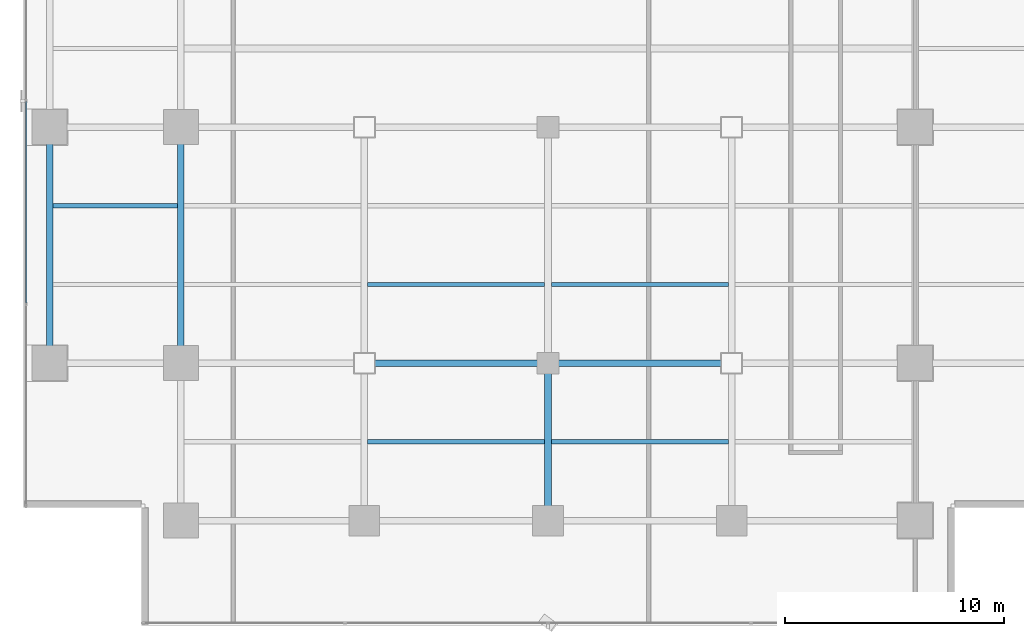
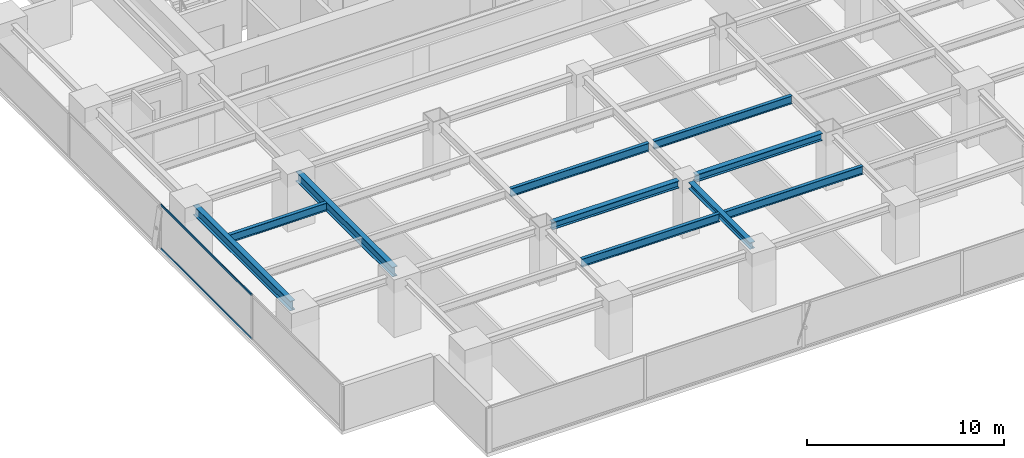
# One storey, part 6 of 27: 10 beams, 2 members, 1 element without a shape of its own.
"""IFC4 building model written with IfcOpenShell, lengths in metres."""

from ifc_helpers import new_model, si_unit, direction, frame, origin, origin_2d, place, context, subcontext, project, spatial, hollow_rectangle, i_section, extrude, source, transform, mapped, material, layer, layer_set, material_profile, profile_set, type_object, element, aggregate, save


model = new_model("IFC4")

# Units and contexts
model_context = context("Model", 3, precision=1e-05, world=origin(), true_north=direction((0.0, 1.0)))
body_context = subcontext(model_context, "Body", "Model", "MODEL_VIEW")
ifc_project = project(units=[si_unit("LENGTHUNIT", "METRE"), si_unit("AREAUNIT", "SQUARE_METRE"), si_unit("VOLUMEUNIT", "CUBIC_METRE"), si_unit("PLANEANGLEUNIT", "RADIAN"), si_unit("MASSUNIT", "GRAM", prefix="KILO")], contexts=[model_context])

# Site, building, storey
site_placement = place(None, origin())
site = spatial("IfcSite", under=ifc_project, at=site_placement, CompositionType="ELEMENT")
building_placement = place(site_placement, origin())
building = spatial("IfcBuilding", under=site, at=building_placement, Name="Sumidabori Civic Tower", CompositionType="ELEMENT")
storey_placement = place(building_placement, frame((0.0, 0.0, 156.800048828125)))
storey = spatial("IfcBuildingStorey", under=building, at=storey_placement, Name="L40", CompositionType="ELEMENT", Elevation=156.800048828125)

# Beams
ifc_material_1 = material(Name="Steel SN490", Category="steel")
ifc_material_profile_1 = material_profile(ifc_material_1, i_section(OverallWidth=0.300048828125, OverallDepth=0.39990234375, WebThickness=0.013427734375, FlangeThickness=0.02392578125, at=origin_2d()), Name="HE 400 B")
ifc_profile_set_1 = profile_set([ifc_material_profile_1], Name="Steel SN490")
beam_type_1 = type_object("IfcBeamType", Name="BM-GIRD-400", PredefinedType="BEAM", material=ifc_profile_set_1)
shared_shape_1 = source(origin(), body_context, "Body", "SweptSolid", [
    extrude(i_section(OverallWidth=0.300048828125, OverallDepth=0.39990234375, WebThickness=0.013427734375, FlangeThickness=0.02392578125, at=origin_2d()), origin(), (0.0, 0.0, 1.0), 6.239990234375),
])
beam_1_placement = place(storey_placement, frame((0.0, -17.52001953125, 3.179931640625), z_axis=(0.0, 1.0, 0.0), x_axis=(-1.0, 0.0, 0.0)))
element("IfcBeam", 1, at=beam_1_placement, inside=storey, type_object=beam_type_1, Name="Primary Girder L40 GY-28", PredefinedType="BEAM", context=body_context, shape_type="MappedRepresentation", body=[
    mapped(shared_shape_1, transform((0.0, 0.0, 0.0), x_axis=(1.0, 0.0, 0.0), y_axis=(0.0, 1.0, 0.0), z_axis=(0.0, 0.0, 1.0), scale=1.0)),
])
ifc_material_profile_2 = material_profile(ifc_material_1, i_section(OverallWidth=0.300048828125, OverallDepth=0.60009765625, WebThickness=0.015380859375, FlangeThickness=0.030029296875, at=origin_2d()), Name="HE 600 B")
ifc_profile_set_2 = profile_set([ifc_material_profile_2], Name="Steel SN490")
beam_type_2 = type_object("IfcBeamType", Name="BM-GIRD-600", PredefinedType="BEAM", material=ifc_profile_set_2)
shared_shape_2 = source(origin(), body_context, "Body", "SweptSolid", [
    extrude(i_section(OverallWidth=0.300048828125, OverallDepth=0.60009765625, WebThickness=0.015380859375, FlangeThickness=0.030029296875, at=origin_2d()), origin(), (0.0, 0.0, 1.0), 9.840087890625),
])
for number, where, z_axis, x_axis, name in (
    (2, (-22.800048828125, -10.320068359375, 3.079833984375), (0.0, 1.0, 0.0), (-1.0, 0.0, 0.0), "Primary Girder L40 GY-19"),
    (3, (-16.800048828125, -10.320068359375, 3.079833984375), (0.0, 1.0, 0.0), (-1.0, 0.0, 0.0), "Primary Girder L40 GY-23"),
):
    element("IfcBeam", number, at=place(storey_placement, frame(where, z_axis=z_axis, x_axis=x_axis)), inside=storey, type_object=beam_type_2, Name=name, PredefinedType="BEAM", context=body_context, shape_type="MappedRepresentation", body=[
        mapped(shared_shape_2, transform((0.0, 0.0, 0.0), x_axis=(1.0, 0.0, 0.0), y_axis=(0.0, 1.0, 0.0), z_axis=(0.0, 0.0, 1.0), scale=1.0)),
    ])
ifc_material_profile_3 = material_profile(ifc_material_1, i_section(OverallWidth=0.199951171875, OverallDepth=0.5, WebThickness=0.01025390625, FlangeThickness=0.01611328125, at=origin_2d()), Name="IPE 500")
ifc_profile_set_3 = profile_set([ifc_material_profile_3], Name="Steel SN490")
beam_type_3 = type_object("IfcBeamType", Name="BM-JST-500", PredefinedType="JOIST", material=ifc_profile_set_3)
shared_shape_3 = source(origin(), body_context, "Body", "SweptSolid", [
    extrude(i_section(OverallWidth=0.199951171875, OverallDepth=0.5, WebThickness=0.01025390625, FlangeThickness=0.01611328125, at=origin_2d()), origin(), (0.0, 0.0, 1.0), 5.699951171875),
])
beam_2_placement = place(storey_placement, frame((-22.64990234375, -3.60009765625, 3.1298828125), z_axis=(1.0, 0.0, 0.0), x_axis=(0.0, 1.0, 0.0)))
element("IfcBeam", 4, at=beam_2_placement, inside=storey, type_object=beam_type_3, Name="Outer Bay Floor Joist L40 JSTO-41", PredefinedType="JOIST", context=body_context, shape_type="MappedRepresentation", body=[
    mapped(shared_shape_3, transform((0.0, 0.0, 0.0), x_axis=(1.0, 0.0, 0.0), y_axis=(0.0, 1.0, 0.0), z_axis=(0.0, 0.0, 1.0), scale=1.0)),
])
shared_shape_4 = source(origin(), body_context, "Body", "SweptSolid", [
    extrude(i_section(OverallWidth=0.199951171875, OverallDepth=0.5, WebThickness=0.01025390625, FlangeThickness=0.01611328125, at=origin_2d()), origin(), (0.0, 0.0, 1.0), 8.10009765625),
])
for number, where, z_axis, x_axis, name in (
    (5, (-8.25, -14.39990234375, 3.1298828125), (1.0, 0.0, 0.0), (0.0, 1.0, 0.0), "South Bay Floor Joist L40 JSTS-50"),
    (6, (0.14990234375, -14.39990234375, 3.1298828125), (1.0, 0.0, 0.0), (0.0, 1.0, 0.0), "South Bay Floor Joist L40 JSTS-51"),
    (7, (-8.25, -7.199951171875, 3.1298828125), (1.0, 0.0, 0.0), (0.0, 1.0, 0.0), "South Bay Floor Joist L40 JSTS-54"),
    (8, (0.14990234375, -7.199951171875, 3.1298828125), (1.0, 0.0, 0.0), (0.0, 1.0, 0.0), "South Bay Floor Joist L40 JSTS-55"),
):
    element("IfcBeam", number, at=place(storey_placement, frame(where, z_axis=z_axis, x_axis=x_axis)), inside=storey, type_object=beam_type_3, Name=name, PredefinedType="JOIST", context=body_context, shape_type="MappedRepresentation", body=[
        mapped(shared_shape_4, transform((0.0, 0.0, 0.0), x_axis=(1.0, 0.0, 0.0), y_axis=(0.0, 1.0, 0.0), z_axis=(0.0, 0.0, 1.0), scale=1.0)),
    ])
ifc_material_profile_4 = material_profile(ifc_material_1, i_section(OverallWidth=0.300048828125, OverallDepth=0.449951171875, WebThickness=0.013916015625, FlangeThickness=0.02587890625, at=origin_2d()), Name="HE 450 B")
ifc_profile_set_4 = profile_set([ifc_material_profile_4], Name="Steel SN490")
beam_type_4 = type_object("IfcBeamType", Name="BM-GIRD-450", PredefinedType="BEAM", material=ifc_profile_set_4)
shared_shape_5 = source(origin(), body_context, "Body", "SweptSolid", [
    extrude(i_section(OverallWidth=0.300048828125, OverallDepth=0.449951171875, WebThickness=0.013916015625, FlangeThickness=0.02587890625, at=origin_2d()), origin(), (0.0, 0.0, 1.0), 7.43994140625),
])
for number, where, z_axis, x_axis, name in (
    (9, (-7.919921875, -10.800048828125, 3.155029296875), (1.0, 0.0, 0.0), (0.0, 1.0, 0.0), "Primary Girder L40 GX-07"),
    (10, (0.47998046875, -10.800048828125, 3.155029296875), (1.0, 0.0, 0.0), (0.0, 1.0, 0.0), "Primary Girder L40 GX-08"),
):
    element("IfcBeam", number, at=place(storey_placement, frame(where, z_axis=z_axis, x_axis=x_axis)), inside=storey, type_object=beam_type_4, Name=name, PredefinedType="BEAM", context=body_context, shape_type="MappedRepresentation", body=[
        mapped(shared_shape_5, transform((0.0, 0.0, 0.0), x_axis=(1.0, 0.0, 0.0), y_axis=(0.0, 1.0, 0.0), z_axis=(0.0, 0.0, 1.0), scale=1.0)),
    ])

# Curtain wall, members
ifc_material_2 = material(Name="Anodised Bronze Aluminium AW-6063-T6", Category="aluminium")
ifc_layer = layer(ifc_material_2, 0.179931640625, Name="Anodised Bronze Aluminium AW-6063-T6")
ifc_layer_set = layer_set([ifc_layer], Name="Anodised Bronze Aluminium AW-6063-T6")
curtain_wall_type = type_object("IfcCurtainWallType", Name="CW-SYS-3", PredefinedType="NOTDEFINED", material=ifc_layer_set)
curtain_wall_placement = place(storey_placement, origin())
curtain_wall = element("IfcCurtainWall", 11, at=curtain_wall_placement, inside=storey, type_object=curtain_wall_type, Name="Curtain Wall CW:L40:R10", PredefinedType="NOTDEFINED")
ifc_material_profile_5 = material_profile(ifc_material_2, hollow_rectangle(XDim=0.06005859375, YDim=0.1298828125, WallThickness=0.0048828125, at=origin_2d()), Name="ALU TRANSOM 130x60")
ifc_profile_set_5 = profile_set([ifc_material_profile_5], Name="Anodised Bronze Aluminium AW-6063-T6")
member_type = type_object("IfcMemberType", Name="CW-TRN-130", PredefinedType="USERDEFINED", material=ifc_profile_set_5)
shared_shape_6 = source(origin(), body_context, "Body", "SweptSolid", [
    extrude(hollow_rectangle(XDim=0.06005859375, YDim=0.1298828125, WallThickness=0.0048828125, at=origin_2d()), origin(), (0.0, 0.0, 1.0), 9.219970703125),
])
member_1_placement = place(storey_placement, frame((-23.8798828125, 1.16748046875, 0.030029296875), z_axis=(0.0, -1.0, 0.0), x_axis=(1.0, 0.0, 0.0)))
member_1 = element("IfcMember", 12, at=member_1_placement, type_object=member_type, Name="CW-3 transom 3.1", ObjectType="TRANSOM", PredefinedType="USERDEFINED", context=body_context, shape_type="MappedRepresentation", body=[
    mapped(shared_shape_6, transform((0.0, 0.0, 0.0), x_axis=(1.0, 0.0, 0.0), y_axis=(0.0, 1.0, 0.0), z_axis=(0.0, 0.0, 1.0), scale=1.0)),
])
member_2_placement = place(storey_placement, frame((-23.8798828125, 1.16748046875, 2.72998046875), z_axis=(0.0, -1.0, 0.0), x_axis=(1.0, 0.0, 0.0)))
member_2 = element("IfcMember", 13, at=member_2_placement, type_object=member_type, Name="CW-3 transom 3.2", ObjectType="TRANSOM", PredefinedType="USERDEFINED", context=body_context, shape_type="MappedRepresentation", body=[
    mapped(shared_shape_6, transform((0.0, 0.0, 0.0), x_axis=(1.0, 0.0, 0.0), y_axis=(0.0, 1.0, 0.0), z_axis=(0.0, 0.0, 1.0), scale=1.0)),
])
aggregate(curtain_wall, [member_1, member_2])

save(model, "model.ifc")
